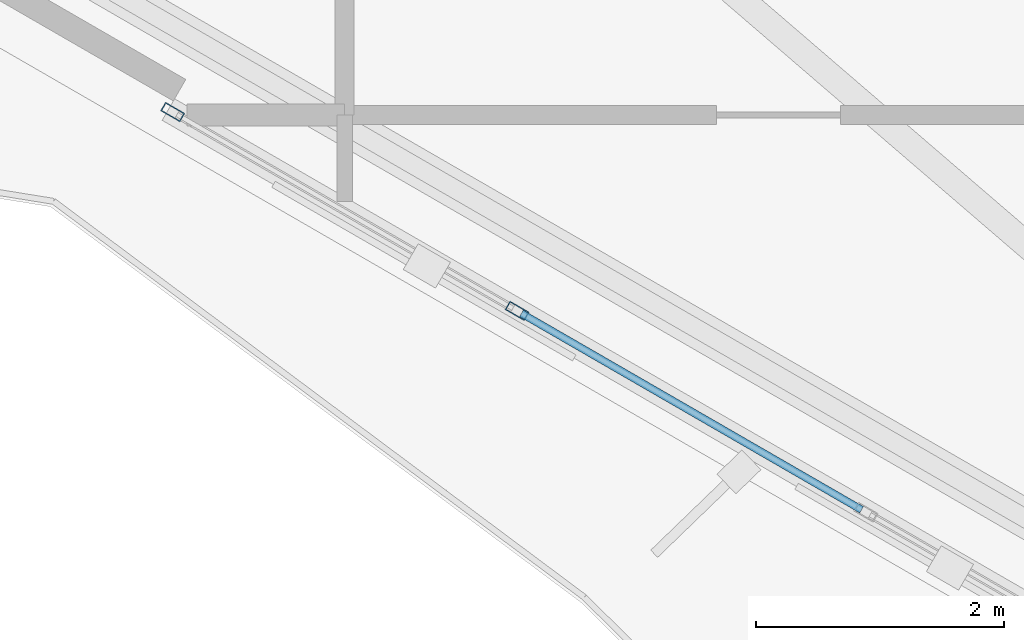
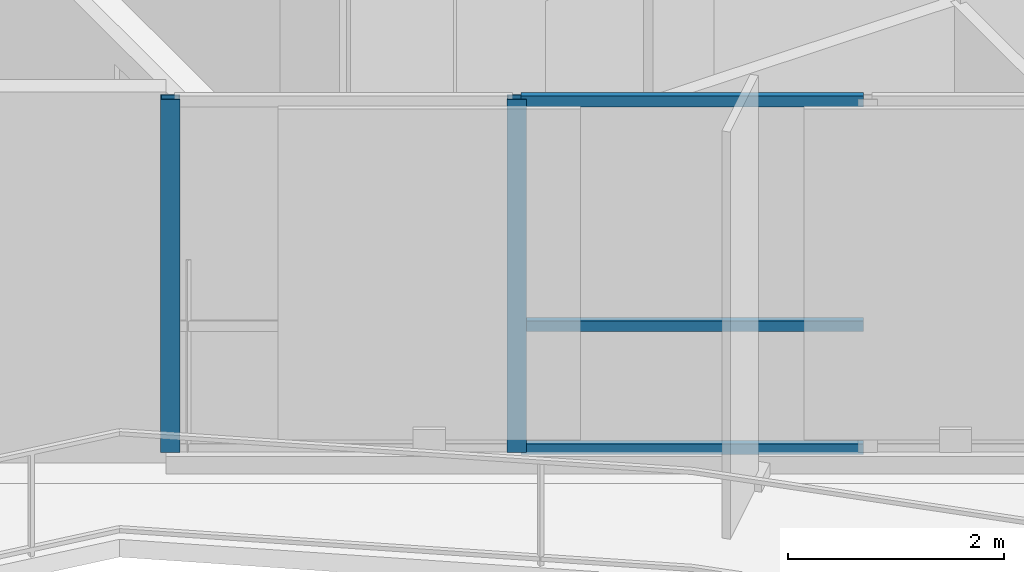
# One storey, part 2 of 18: 5 members, 1 element without a shape of its own.
"""IFC4 building model written with IfcOpenShell, lengths in metres."""

from ifc_helpers import new_model, si_unit, direction, frame, origin, origin_2d, place, context, subcontext, project, spatial, hollow_rectangle, extrude, material, layer, layer_set, material_profile, profile_set, type_object, element, aggregate, save


model = new_model("IFC4")

# Units and contexts
model_context = context("Model", 3, precision=1e-05, world=origin(), true_north=direction((0.0, 1.0)))
body_context = subcontext(model_context, "Body", "Model", "MODEL_VIEW")
ifc_project = project(units=[si_unit("LENGTHUNIT", "METRE"), si_unit("AREAUNIT", "SQUARE_METRE"), si_unit("VOLUMEUNIT", "CUBIC_METRE"), si_unit("PLANEANGLEUNIT", "RADIAN"), si_unit("MASSUNIT", "GRAM", prefix="KILO")], contexts=[model_context])

# Site, building, storey
site_placement = place(None, origin())
site = spatial("IfcSite", under=ifc_project, at=site_placement, CompositionType="ELEMENT")
building_placement = place(site_placement, origin())
building = spatial("IfcBuilding", under=site, at=building_placement, Name="Mersakhor Tower and Convention Hall", CompositionType="ELEMENT")
storey_placement = place(building_placement, frame((0.0, 0.0, 170.699951171875)))
storey = spatial("IfcBuildingStorey", under=building, at=storey_placement, Name="L47", CompositionType="ELEMENT", Elevation=170.699951171875)

# Curtain wall, members
ifc_material_1 = material(Name="Dark solar low-E aluminium curtain wall", Category="aluminium")
ifc_layer = layer(ifc_material_1, 0.199951171875)
ifc_layer_set = layer_set([ifc_layer], Name="Dark solar low-E aluminium curtain wall")
curtain_wall_type = type_object("IfcCurtainWallType", Name="CW-SYS-05", PredefinedType="USERDEFINED", material=ifc_layer_set)
curtain_wall_placement = place(storey_placement, origin())
curtain_wall = element("IfcCurtainWall", 1, at=curtain_wall_placement, inside=storey, type_object=curtain_wall_type, Name="L47 Dark-Glass Curtain Wall F3-B2", ObjectType="CURTAIN WALL", PredefinedType="USERDEFINED")
ifc_material_2 = material(Name="Anodised aluminium EN AW-6063 T6", Category="aluminium")
ifc_material_profile_1 = material_profile(ifc_material_2, hollow_rectangle(XDim=0.080078125, YDim=0.179931640625, WallThickness=0.008056640625, at=origin_2d()), Name="RHS 180x80x8")
ifc_profile_set_1 = profile_set([ifc_material_profile_1], Name="Anodised aluminium EN AW-6063 T6")
member_type_1 = type_object("IfcMemberType", Name="CWM-180x80", PredefinedType="MULLION", material=ifc_profile_set_1)
member_1_placement = place(storey_placement, frame((21.391845703125, 16.81982421875, 0.199951171875), z_axis=(0.0, 0.0, 1.0), x_axis=(-0.499998484116, -0.866026278978, 0.0)))
member_1 = element("IfcMember", 2, at=member_1_placement, type_object=member_type_1, Name="CW-05 mullion 3", PredefinedType="MULLION", context=body_context, shape_type="SweptSolid", body=[
    extrude(hollow_rectangle(XDim=0.080078125, YDim=0.179931640625, WallThickness=0.008056640625, at=origin_2d()), origin(), (0.0, 0.0, 1.0), 3.989990234375),
])
member_2_placement = place(storey_placement, frame((18.6142578125, 18.423583984375, 0.199951171875), z_axis=(0.0, 0.0, 1.0), x_axis=(-0.499998484116, -0.866026278978, 0.0)))
member_2 = element("IfcMember", 3, at=member_2_placement, type_object=member_type_1, Name="CW-05 mullion 4", PredefinedType="MULLION", context=body_context, shape_type="SweptSolid", body=[
    extrude(hollow_rectangle(XDim=0.080078125, YDim=0.179931640625, WallThickness=0.008056640625, at=origin_2d()), origin(), (0.0, 0.0, 1.0), 3.989990234375),
])
ifc_material_3 = material(Name="Anodised aluminium EN AW-6063 T6", Category="aluminium")
ifc_material_profile_2 = material_profile(ifc_material_3, hollow_rectangle(XDim=0.06005859375, YDim=0.1201171875, WallThickness=0.0048828125, at=origin_2d()), Name="RHS 120x60x5")
ifc_profile_set_2 = profile_set([ifc_material_profile_2], Name="Anodised aluminium EN AW-6063 T6")
member_type_2 = type_object("IfcMemberType", Name="CWT-120x60", PredefinedType="USERDEFINED", material=ifc_profile_set_2)
member_3_placement = place(storey_placement, frame((24.169677734375, 15.216064453125, 0.22998046875), z_axis=(-0.866028995734, 0.499993778509, 0.0), x_axis=(-0.499993778509, -0.866028995734, 0.0)))
member_3 = element("IfcMember", 4, at=member_3_placement, type_object=member_type_2, Name="CW-05 transom 2.1", ObjectType="TRANSOM", PredefinedType="USERDEFINED", context=body_context, shape_type="SweptSolid", body=[
    extrude(hollow_rectangle(XDim=0.06005859375, YDim=0.1201171875, WallThickness=0.0048828125, at=origin_2d()), origin(), (0.0, 0.0, 1.0), 3.16748046875),
])
member_4_placement = place(storey_placement, frame((24.169677734375, 15.216064453125, 1.6201171875), z_axis=(-0.866028995734, 0.499993778509, 0.0), x_axis=(-0.499993778509, -0.866028995734, 0.0)))
member_4 = element("IfcMember", 5, at=member_4_placement, type_object=member_type_2, Name="CW-05 transom 2.2", ObjectType="TRANSOM", PredefinedType="USERDEFINED", context=body_context, shape_type="SweptSolid", body=[
    extrude(hollow_rectangle(XDim=0.06005859375, YDim=0.1201171875, WallThickness=0.0048828125, at=origin_2d()), origin(), (0.0, 0.0, 1.0), 3.16748046875),
])
member_5_placement = place(storey_placement, frame((24.169677734375, 15.216064453125, 4.16015625), z_axis=(-0.866028995734, 0.499993778509, 0.0), x_axis=(-0.499993778509, -0.866028995734, 0.0)))
member_5 = element("IfcMember", 6, at=member_5_placement, type_object=member_type_2, Name="CW-05 transom 2.3", ObjectType="TRANSOM", PredefinedType="USERDEFINED", context=body_context, shape_type="SweptSolid", body=[
    extrude(hollow_rectangle(XDim=0.06005859375, YDim=0.1201171875, WallThickness=0.0048828125, at=origin_2d()), origin(), (0.0, 0.0, 1.0), 3.16748046875),
])
aggregate(curtain_wall, [member_1, member_2, member_3, member_4, member_5])

save(model, "model.ifc")
